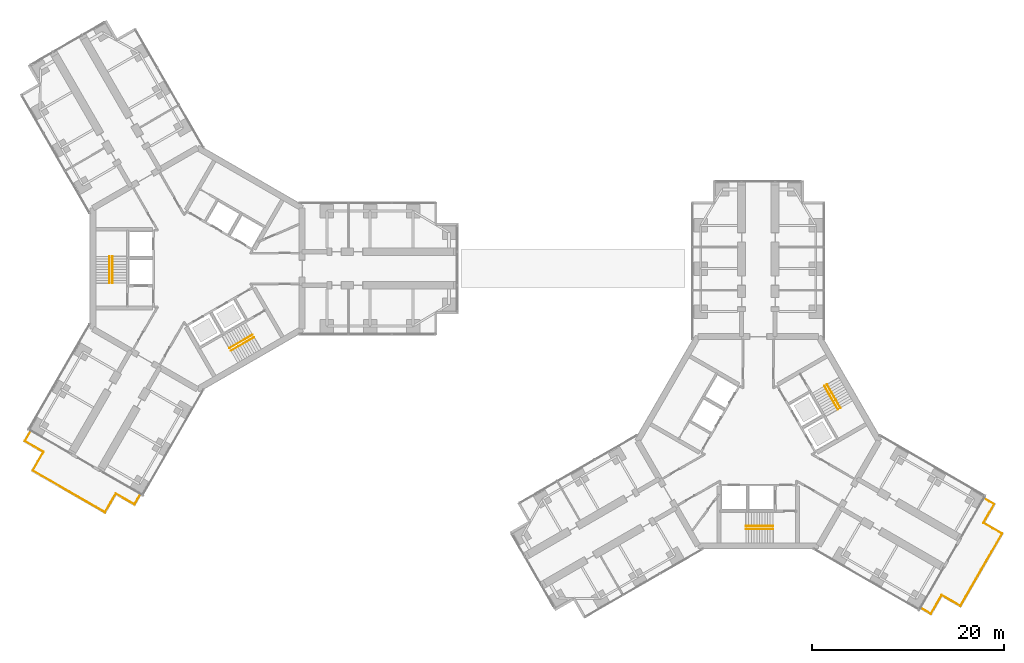
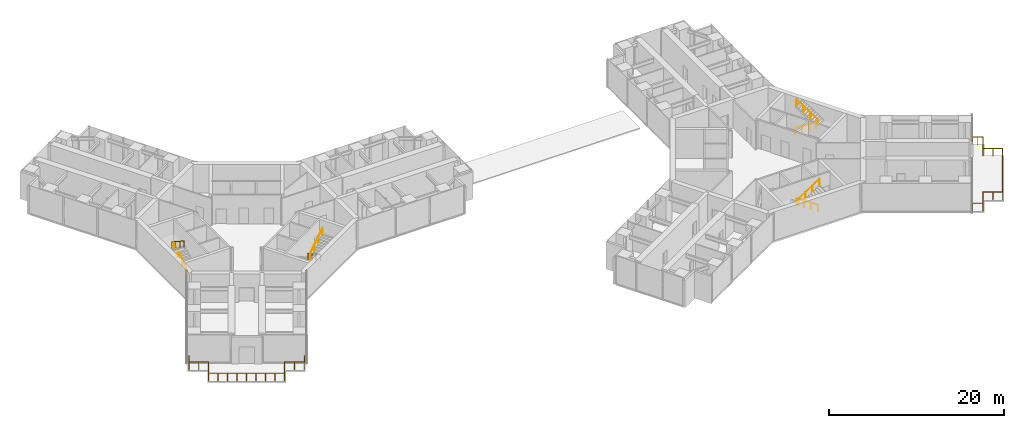
# One storey, part 21 of 22: 10 railings.
"""IFC4 building model written with IfcOpenShell, lengths in metres."""

from ifc_helpers import new_model, si_unit, direction, frame, origin, origin_2d, place, context, subcontext, project, spatial, circle, extrude, material, type_object, element, save


model = new_model("IFC4")

# Units and contexts
model_context = context("Model", 3, precision=1e-05, world=origin(), true_north=direction((0.0, 1.0)))
body_context = subcontext(model_context, "Body", "Model", "MODEL_VIEW")
ifc_project = project(units=[si_unit("LENGTHUNIT", "METRE"), si_unit("AREAUNIT", "SQUARE_METRE"), si_unit("VOLUMEUNIT", "CUBIC_METRE"), si_unit("PLANEANGLEUNIT", "RADIAN"), si_unit("MASSUNIT", "GRAM", prefix="KILO")], contexts=[model_context])

# Site, building, storey
site_placement = place(None, origin())
site = spatial("IfcSite", under=ifc_project, at=site_placement, CompositionType="ELEMENT")
building_placement = place(site_placement, origin())
building = spatial("IfcBuilding", under=site, at=building_placement, Name="Upepo Twin Towers", CompositionType="ELEMENT")
storey_placement = place(building_placement, frame((0.0, 0.0, 97.5)))
storey = spatial("IfcBuildingStorey", under=building, at=storey_placement, Name="L23", CompositionType="ELEMENT", Elevation=97.5)

# Railings
ifc_material_1 = material(Name="Stainless steel", Category="steel")
railing_type_1 = type_object("IfcRailingType", Name="Stair handrail 900", PredefinedType="HANDRAIL", material=ifc_material_1)
railing_1_placement = place(storey_placement, frame((-8.85009765625, -1.52001953125, 0.181884765625)))
element("IfcRailing", 1, at=railing_1_placement, inside=storey, type_object=railing_type_1, Name="T1 stair S1 L23 handrail 1", PredefinedType="HANDRAIL", context=body_context, shape_type="SweptSolid", body=[
    extrude(circle(Radius=0.02392578125, at=origin_2d()), frame((0.0, 0.0, 0.8759765625), z_axis=(0.0, 0.838705829183, 0.544584733623), x_axis=(-1.0, 0.0, 0.0)), (0.0, 0.0, 1.0), 3.338623046875),
    extrude(circle(Radius=0.02099609375, at=origin_2d()), origin(), (0.0, 0.0, 1.0), 0.851806640625),
    extrude(circle(Radius=0.02099609375, at=origin_2d()), frame((0.0, 0.933349609375, 0.60595703125)), (0.0, 0.0, 1.0), 0.851806640625),
    extrude(circle(Radius=0.02099609375, at=origin_2d()), frame((0.0, 1.86669921875, 1.212158203125)), (0.0, 0.0, 1.0), 0.851806640625),
    extrude(circle(Radius=0.02099609375, at=origin_2d()), frame((0.0, 2.800048828125, 1.818115234375)), (0.0, 0.0, 1.0), 0.851806640625),
])
railing_2_placement = place(storey_placement, frame((-9.158447265625, 1.280029296875, 2.181884765625)))
element("IfcRailing", 2, at=railing_2_placement, inside=storey, type_object=railing_type_1, Name="T1 stair S1 L23 handrail 2", PredefinedType="HANDRAIL", context=body_context, shape_type="SweptSolid", body=[
    extrude(circle(Radius=0.02392578125, at=origin_2d()), frame((0.0, 0.0, 0.8759765625), z_axis=(0.0, -0.838705829183, 0.544584733623), x_axis=(1.0, 0.0, 0.0)), (0.0, 0.0, 1.0), 3.338623046875),
    extrude(circle(Radius=0.02099609375, at=origin_2d()), origin(), (0.0, 0.0, 1.0), 0.851806640625),
    extrude(circle(Radius=0.02099609375, at=origin_2d()), frame((0.0, -0.933349609375, 0.60595703125)), (0.0, 0.0, 1.0), 0.851806640625),
    extrude(circle(Radius=0.02099609375, at=origin_2d()), frame((0.0, -1.86669921875, 1.212158203125)), (0.0, 0.0, 1.0), 0.851806640625),
    extrude(circle(Radius=0.02099609375, at=origin_2d()), frame((0.0, -2.800048828125, 1.818115234375)), (0.0, 0.0, 1.0), 0.851806640625),
])
railing_3_placement = place(storey_placement, frame((5.741455078125, -6.904296875, 0.181884765625)))
element("IfcRailing", 3, at=railing_3_placement, inside=storey, type_object=railing_type_1, Name="T1 stair S2 L23 handrail 1", PredefinedType="HANDRAIL", context=body_context, shape_type="SweptSolid", body=[
    extrude(circle(Radius=0.02392578125, at=origin_2d()), frame((0.0, 0.0, 0.8759765625), z_axis=(-0.726348578268, -0.419370693282, 0.544560340518), x_axis=(0.500011755427, -0.866018616679, 0.0)), (0.0, 0.0, 1.0), 3.338623046875),
    extrude(circle(Radius=0.02099609375, at=origin_2d()), origin(), (0.0, 0.0, 1.0), 0.851806640625),
    extrude(circle(Radius=0.02099609375, at=origin_2d()), frame((-0.808349609375, -0.466796875, 0.60595703125)), (0.0, 0.0, 1.0), 0.851806640625),
    extrude(circle(Radius=0.02099609375, at=origin_2d()), frame((-1.61669921875, -0.933349609375, 1.212158203125)), (0.0, 0.0, 1.0), 0.851806640625),
    extrude(circle(Radius=0.02099609375, at=origin_2d()), frame((-2.425048828125, -1.400146484375, 1.818115234375)), (0.0, 0.0, 1.0), 0.851806640625),
])
railing_4_placement = place(storey_placement, frame((3.470703125, -8.5712890625, 2.181884765625)))
element("IfcRailing", 4, at=railing_4_placement, inside=storey, type_object=railing_type_1, Name="T1 stair S2 L23 handrail 2", PredefinedType="HANDRAIL", context=body_context, shape_type="SweptSolid", body=[
    extrude(circle(Radius=0.02392578125, at=origin_2d()), frame((0.0, 0.0, 0.8759765625), z_axis=(0.726336304947, 0.419332699614, 0.544605966869), x_axis=(-0.49998411664, 0.866034573852, 0.0)), (0.0, 0.0, 1.0), 3.33837890625),
    extrude(circle(Radius=0.02099609375, at=origin_2d()), origin(), (0.0, 0.0, 1.0), 0.851806640625),
    extrude(circle(Radius=0.02099609375, at=origin_2d()), frame((0.808349609375, 0.466552734375, 0.60595703125)), (0.0, 0.0, 1.0), 0.851806640625),
    extrude(circle(Radius=0.02099609375, at=origin_2d()), frame((1.616455078125, 0.933349609375, 1.212158203125)), (0.0, 0.0, 1.0), 0.851806640625),
    extrude(circle(Radius=0.02099609375, at=origin_2d()), frame((2.4248046875, 1.39990234375, 1.818115234375)), (0.0, 0.0, 1.0), 0.851806640625),
])
railing_5_placement = place(storey_placement, frame((60.02001953125, -26.85009765625, 0.181884765625)))
element("IfcRailing", 5, at=railing_5_placement, inside=storey, type_object=railing_type_1, Name="T2 stair S1 L23 handrail 1", PredefinedType="HANDRAIL", context=body_context, shape_type="SweptSolid", body=[
    extrude(circle(Radius=0.02392578125, at=origin_2d()), frame((0.0, 0.0, 0.8759765625), z_axis=(-0.838705829183, 0.0, 0.544584733623), x_axis=(0.0, -1.0, 0.0)), (0.0, 0.0, 1.0), 3.338623046875),
    extrude(circle(Radius=0.02099609375, at=origin_2d()), origin(), (0.0, 0.0, 1.0), 0.851806640625),
    extrude(circle(Radius=0.02099609375, at=origin_2d()), frame((-0.933349609375, 0.0, 0.60595703125)), (0.0, 0.0, 1.0), 0.851806640625),
    extrude(circle(Radius=0.02099609375, at=origin_2d()), frame((-1.86669921875, 0.0, 1.212158203125)), (0.0, 0.0, 1.0), 0.851806640625),
    extrude(circle(Radius=0.02099609375, at=origin_2d()), frame((-2.800048828125, 0.0, 1.818115234375)), (0.0, 0.0, 1.0), 0.851806640625),
])
railing_6_placement = place(storey_placement, frame((57.219970703125, -27.158447265625, 2.181884765625)))
element("IfcRailing", 6, at=railing_6_placement, inside=storey, type_object=railing_type_1, Name="T2 stair S1 L23 handrail 2", PredefinedType="HANDRAIL", context=body_context, shape_type="SweptSolid", body=[
    extrude(circle(Radius=0.02392578125, at=origin_2d()), frame((0.0, 0.0, 0.8759765625), z_axis=(0.838705829183, 0.0, 0.544584733623), x_axis=(0.0, 1.0, 0.0)), (0.0, 0.0, 1.0), 3.338623046875),
    extrude(circle(Radius=0.02099609375, at=origin_2d()), origin(), (0.0, 0.0, 1.0), 0.851806640625),
    extrude(circle(Radius=0.02099609375, at=origin_2d()), frame((0.933349609375, 0.0, 0.60595703125)), (0.0, 0.0, 1.0), 0.851806640625),
    extrude(circle(Radius=0.02099609375, at=origin_2d()), frame((1.86669921875, 0.0, 1.212158203125)), (0.0, 0.0, 1.0), 0.851806640625),
    extrude(circle(Radius=0.02099609375, at=origin_2d()), frame((2.800048828125, 0.0, 1.818115234375)), (0.0, 0.0, 1.0), 0.851806640625),
])
railing_7_placement = place(storey_placement, frame((65.404296875, -12.258544921875, 0.181884765625)))
element("IfcRailing", 7, at=railing_7_placement, inside=storey, type_object=railing_type_1, Name="T2 stair S2 L23 handrail 1", PredefinedType="HANDRAIL", context=body_context, shape_type="SweptSolid", body=[
    extrude(circle(Radius=0.02392578125, at=origin_2d()), frame((0.0, 0.0, 0.8759765625), z_axis=(0.419370693282, -0.726348578268, 0.544560340518), x_axis=(0.866018616679, 0.500011755427, 0.0)), (0.0, 0.0, 1.0), 3.338623046875),
    extrude(circle(Radius=0.02099609375, at=origin_2d()), origin(), (0.0, 0.0, 1.0), 0.851806640625),
    extrude(circle(Radius=0.02099609375, at=origin_2d()), frame((0.466796875, -0.808349609375, 0.60595703125)), (0.0, 0.0, 1.0), 0.851806640625),
    extrude(circle(Radius=0.02099609375, at=origin_2d()), frame((0.933349609375, -1.61669921875, 1.212158203125)), (0.0, 0.0, 1.0), 0.851806640625),
    extrude(circle(Radius=0.02099609375, at=origin_2d()), frame((1.400146484375, -2.425048828125, 1.818115234375)), (0.0, 0.0, 1.0), 0.851806640625),
])
railing_8_placement = place(storey_placement, frame((67.0712890625, -14.529296875, 2.181884765625)))
element("IfcRailing", 8, at=railing_8_placement, inside=storey, type_object=railing_type_1, Name="T2 stair S2 L23 handrail 2", PredefinedType="HANDRAIL", context=body_context, shape_type="SweptSolid", body=[
    extrude(circle(Radius=0.02392578125, at=origin_2d()), frame((0.0, 0.0, 0.8759765625), z_axis=(-0.419332699614, 0.726336304947, 0.544605966869), x_axis=(-0.866034573852, -0.49998411664, 0.0)), (0.0, 0.0, 1.0), 3.33837890625),
    extrude(circle(Radius=0.02099609375, at=origin_2d()), origin(), (0.0, 0.0, 1.0), 0.851806640625),
    extrude(circle(Radius=0.02099609375, at=origin_2d()), frame((-0.466552734375, 0.808349609375, 0.60595703125)), (0.0, 0.0, 1.0), 0.851806640625),
    extrude(circle(Radius=0.02099609375, at=origin_2d()), frame((-0.933349609375, 1.616455078125, 1.212158203125)), (0.0, 0.0, 1.0), 0.851806640625),
    extrude(circle(Radius=0.02099609375, at=origin_2d()), frame((-1.39990234375, 2.4248046875, 1.818115234375)), (0.0, 0.0, 1.0), 0.851806640625),
])
ifc_material_2 = material(Name="Stainless steel and laminated glass", Category="steel")
railing_type_2 = type_object("IfcRailingType", Name="Terrace guard 1100 glass", PredefinedType="GUARDRAIL", material=ifc_material_2)
railing_9_placement = place(storey_placement, frame((-5.984130859375, -23.56494140625, 0.0)))
element("IfcRailing", 9, at=railing_9_placement, inside=storey, type_object=railing_type_2, Name="T1 L23 sky terrace guard", PredefinedType="GUARDRAIL", context=body_context, shape_type="SweptSolid", body=[
    extrude(circle(Radius=0.02392578125, at=origin_2d()), frame((0.0, 0.0, 1.076171875), z_axis=(-0.500033551112, -0.866006032174, 0.0), x_axis=(0.866006032174, -0.500033551112, 0.0)), (0.0, 0.0, 1.0), 1.2001953125),
    extrude(circle(Radius=0.02392578125, at=origin_2d()), frame((-0.60009765625, -1.039306640625, 1.076171875), z_axis=(-0.866017533419, 0.500013631625, 0.0), x_axis=(-0.500013631625, -0.866017533419, 0.0)), (0.0, 0.0, 1.0), 2.25),
    extrude(circle(Radius=0.02392578125, at=origin_2d()), frame((-2.548583984375, 0.085693359375, 1.076171875), z_axis=(-0.500013631625, -0.866017533419, 0.0), x_axis=(0.866017533419, -0.500013631625, 0.0)), (0.0, 0.0, 1.0), 2.25),
    extrude(circle(Radius=0.02392578125, at=origin_2d()), frame((-3.673583984375, -1.86279296875, 1.076171875), z_axis=(-0.866032775405, 0.499987231761, 0.0), x_axis=(-0.499987231761, -0.866032775405, 0.0)), (0.0, 0.0, 1.0), 8.699951171875),
    extrude(circle(Radius=0.02392578125, at=origin_2d()), frame((-11.2080078125, 2.487060546875, 1.076171875), z_axis=(0.499966648284, 0.866044658551, 0.0), x_axis=(-0.866044658551, 0.499966648284, 0.0)), (0.0, 0.0, 1.0), 2.250244140625),
    extrude(circle(Radius=0.02392578125, at=origin_2d()), frame((-10.0830078125, 4.435791015625, 1.076171875), z_axis=(-0.866044658551, 0.499966648284, 0.0), x_axis=(-0.499966648284, -0.866044658551, 0.0)), (0.0, 0.0, 1.0), 2.250244140625),
    extrude(circle(Radius=0.02392578125, at=origin_2d()), frame((-12.03173828125, 5.560791015625, 1.076171875), z_axis=(0.50012165622, 0.865955154139, 0.0), x_axis=(-0.865955154139, 0.50012165622, 0.0)), (0.0, 0.0, 1.0), 1.199951171875),
    extrude(circle(Radius=0.02099609375, at=origin_2d()), origin(), (0.0, 0.0, 1.0), 1.052001953125),
    extrude(circle(Radius=0.02099609375, at=origin_2d()), frame((-0.300048828125, -0.51953125, 0.0)), (0.0, 0.0, 1.0), 1.052001953125),
    extrude(circle(Radius=0.02099609375, at=origin_2d()), frame((-0.60009765625, -1.039306640625, 0.0)), (0.0, 0.0, 1.0), 1.052001953125),
    extrude(circle(Radius=0.02099609375, at=origin_2d()), frame((-1.57421875, -0.476806640625, 0.0)), (0.0, 0.0, 1.0), 1.052001953125),
    extrude(circle(Radius=0.02099609375, at=origin_2d()), frame((-2.548583984375, 0.085693359375, 0.0)), (0.0, 0.0, 1.0), 1.052001953125),
    extrude(circle(Radius=0.02099609375, at=origin_2d()), frame((-3.111083984375, -0.888671875, 0.0)), (0.0, 0.0, 1.0), 1.052001953125),
    extrude(circle(Radius=0.02099609375, at=origin_2d()), frame((-3.673583984375, -1.86279296875, 0.0)), (0.0, 0.0, 1.0), 1.052001953125),
    extrude(circle(Radius=0.02099609375, at=origin_2d()), frame((-4.615478515625, -1.319091796875, 0.0)), (0.0, 0.0, 1.0), 1.052001953125),
    extrude(circle(Radius=0.02099609375, at=origin_2d()), frame((-5.55712890625, -0.775390625, 0.0)), (0.0, 0.0, 1.0), 1.052001953125),
    extrude(circle(Radius=0.02099609375, at=origin_2d()), frame((-6.4990234375, -0.231689453125, 0.0)), (0.0, 0.0, 1.0), 1.052001953125),
    extrude(circle(Radius=0.02099609375, at=origin_2d()), frame((-7.44091796875, 0.31201171875, 0.0)), (0.0, 0.0, 1.0), 1.052001953125),
    extrude(circle(Radius=0.02099609375, at=origin_2d()), frame((-8.382568359375, 0.85595703125, 0.0)), (0.0, 0.0, 1.0), 1.052001953125),
    extrude(circle(Radius=0.02099609375, at=origin_2d()), frame((-9.324462890625, 1.399658203125, 0.0)), (0.0, 0.0, 1.0), 1.052001953125),
    extrude(circle(Radius=0.02099609375, at=origin_2d()), frame((-10.26611328125, 1.943359375, 0.0)), (0.0, 0.0, 1.0), 1.052001953125),
    extrude(circle(Radius=0.02099609375, at=origin_2d()), frame((-11.2080078125, 2.487060546875, 0.0)), (0.0, 0.0, 1.0), 1.052001953125),
    extrude(circle(Radius=0.02099609375, at=origin_2d()), frame((-10.6455078125, 3.46142578125, 0.0)), (0.0, 0.0, 1.0), 1.052001953125),
    extrude(circle(Radius=0.02099609375, at=origin_2d()), frame((-10.0830078125, 4.435791015625, 0.0)), (0.0, 0.0, 1.0), 1.052001953125),
    extrude(circle(Radius=0.02099609375, at=origin_2d()), frame((-11.057373046875, 4.998291015625, 0.0)), (0.0, 0.0, 1.0), 1.052001953125),
    extrude(circle(Radius=0.02099609375, at=origin_2d()), frame((-12.03173828125, 5.560791015625, 0.0)), (0.0, 0.0, 1.0), 1.052001953125),
    extrude(circle(Radius=0.02099609375, at=origin_2d()), frame((-11.431640625, 6.599853515625, 0.0)), (0.0, 0.0, 1.0), 1.052001953125),
])
railing_10_placement = place(storey_placement, frame((82.06494140625, -23.984130859375, 0.0)))
element("IfcRailing", 10, at=railing_10_placement, inside=storey, type_object=railing_type_2, Name="T2 L23 sky terrace guard", PredefinedType="GUARDRAIL", context=body_context, shape_type="SweptSolid", body=[
    extrude(circle(Radius=0.02392578125, at=origin_2d()), frame((0.0, 0.0, 1.076171875), z_axis=(0.866006032174, -0.500033551112, 0.0), x_axis=(0.500033551112, 0.866006032174, 0.0)), (0.0, 0.0, 1.0), 1.2001953125),
    extrude(circle(Radius=0.02392578125, at=origin_2d()), frame((1.039306640625, -0.60009765625, 1.076171875), z_axis=(-0.500013631625, -0.866017533419, 0.0), x_axis=(0.866017533419, -0.500013631625, 0.0)), (0.0, 0.0, 1.0), 2.25),
    extrude(circle(Radius=0.02392578125, at=origin_2d()), frame((-0.085693359375, -2.548583984375, 1.076171875), z_axis=(0.866017533419, -0.500013631625, 0.0), x_axis=(0.500013631625, 0.866017533419, 0.0)), (0.0, 0.0, 1.0), 2.25),
    extrude(circle(Radius=0.02392578125, at=origin_2d()), frame((1.86279296875, -3.673583984375, 1.076171875), z_axis=(-0.499987231761, -0.866032775405, 0.0), x_axis=(0.866032775405, -0.499987231761, 0.0)), (0.0, 0.0, 1.0), 8.699951171875),
    extrude(circle(Radius=0.02392578125, at=origin_2d()), frame((-2.487060546875, -11.2080078125, 1.076171875), z_axis=(-0.866044658551, 0.499966648284, 0.0), x_axis=(-0.499966648284, -0.866044658551, 0.0)), (0.0, 0.0, 1.0), 2.250244140625),
    extrude(circle(Radius=0.02392578125, at=origin_2d()), frame((-4.435791015625, -10.0830078125, 1.076171875), z_axis=(-0.499966648284, -0.866044658551, 0.0), x_axis=(0.866044658551, -0.499966648284, 0.0)), (0.0, 0.0, 1.0), 2.250244140625),
    extrude(circle(Radius=0.02392578125, at=origin_2d()), frame((-5.560791015625, -12.03173828125, 1.076171875), z_axis=(-0.865955154139, 0.50012165622, 0.0), x_axis=(-0.50012165622, -0.865955154139, 0.0)), (0.0, 0.0, 1.0), 1.199951171875),
    extrude(circle(Radius=0.02099609375, at=origin_2d()), origin(), (0.0, 0.0, 1.0), 1.052001953125),
    extrude(circle(Radius=0.02099609375, at=origin_2d()), frame((0.51953125, -0.300048828125, 0.0)), (0.0, 0.0, 1.0), 1.052001953125),
    extrude(circle(Radius=0.02099609375, at=origin_2d()), frame((1.039306640625, -0.60009765625, 0.0)), (0.0, 0.0, 1.0), 1.052001953125),
    extrude(circle(Radius=0.02099609375, at=origin_2d()), frame((0.476806640625, -1.57421875, 0.0)), (0.0, 0.0, 1.0), 1.052001953125),
    extrude(circle(Radius=0.02099609375, at=origin_2d()), frame((-0.085693359375, -2.548583984375, 0.0)), (0.0, 0.0, 1.0), 1.052001953125),
    extrude(circle(Radius=0.02099609375, at=origin_2d()), frame((0.888671875, -3.111083984375, 0.0)), (0.0, 0.0, 1.0), 1.052001953125),
    extrude(circle(Radius=0.02099609375, at=origin_2d()), frame((1.86279296875, -3.673583984375, 0.0)), (0.0, 0.0, 1.0), 1.052001953125),
    extrude(circle(Radius=0.02099609375, at=origin_2d()), frame((1.319091796875, -4.615478515625, 0.0)), (0.0, 0.0, 1.0), 1.052001953125),
    extrude(circle(Radius=0.02099609375, at=origin_2d()), frame((0.775390625, -5.55712890625, 0.0)), (0.0, 0.0, 1.0), 1.052001953125),
    extrude(circle(Radius=0.02099609375, at=origin_2d()), frame((0.231689453125, -6.4990234375, 0.0)), (0.0, 0.0, 1.0), 1.052001953125),
    extrude(circle(Radius=0.02099609375, at=origin_2d()), frame((-0.31201171875, -7.44091796875, 0.0)), (0.0, 0.0, 1.0), 1.052001953125),
    extrude(circle(Radius=0.02099609375, at=origin_2d()), frame((-0.85595703125, -8.382568359375, 0.0)), (0.0, 0.0, 1.0), 1.052001953125),
    extrude(circle(Radius=0.02099609375, at=origin_2d()), frame((-1.399658203125, -9.324462890625, 0.0)), (0.0, 0.0, 1.0), 1.052001953125),
    extrude(circle(Radius=0.02099609375, at=origin_2d()), frame((-1.943359375, -10.26611328125, 0.0)), (0.0, 0.0, 1.0), 1.052001953125),
    extrude(circle(Radius=0.02099609375, at=origin_2d()), frame((-2.487060546875, -11.2080078125, 0.0)), (0.0, 0.0, 1.0), 1.052001953125),
    extrude(circle(Radius=0.02099609375, at=origin_2d()), frame((-3.46142578125, -10.6455078125, 0.0)), (0.0, 0.0, 1.0), 1.052001953125),
    extrude(circle(Radius=0.02099609375, at=origin_2d()), frame((-4.435791015625, -10.0830078125, 0.0)), (0.0, 0.0, 1.0), 1.052001953125),
    extrude(circle(Radius=0.02099609375, at=origin_2d()), frame((-4.998291015625, -11.057373046875, 0.0)), (0.0, 0.0, 1.0), 1.052001953125),
    extrude(circle(Radius=0.02099609375, at=origin_2d()), frame((-5.560791015625, -12.03173828125, 0.0)), (0.0, 0.0, 1.0), 1.052001953125),
    extrude(circle(Radius=0.02099609375, at=origin_2d()), frame((-6.599853515625, -11.431640625, 0.0)), (0.0, 0.0, 1.0), 1.052001953125),
])

save(model, "model.ifc")
